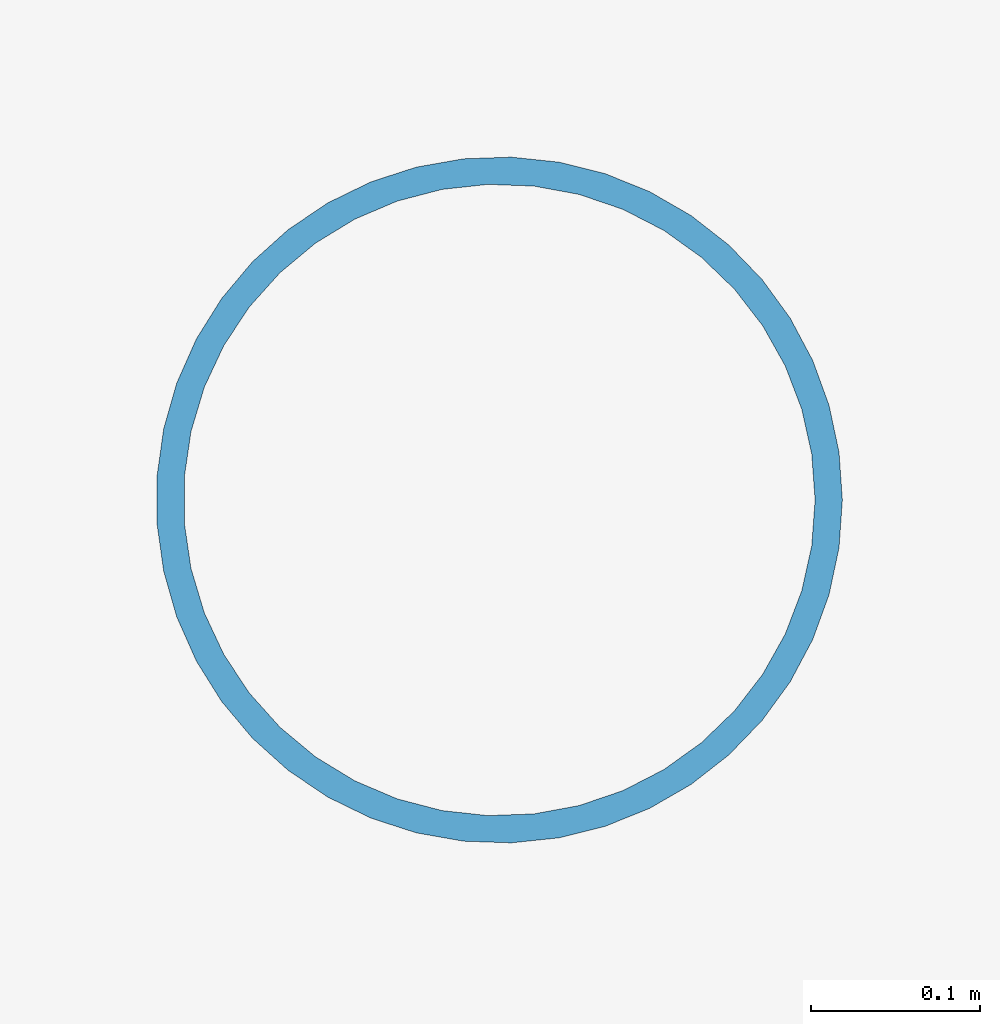
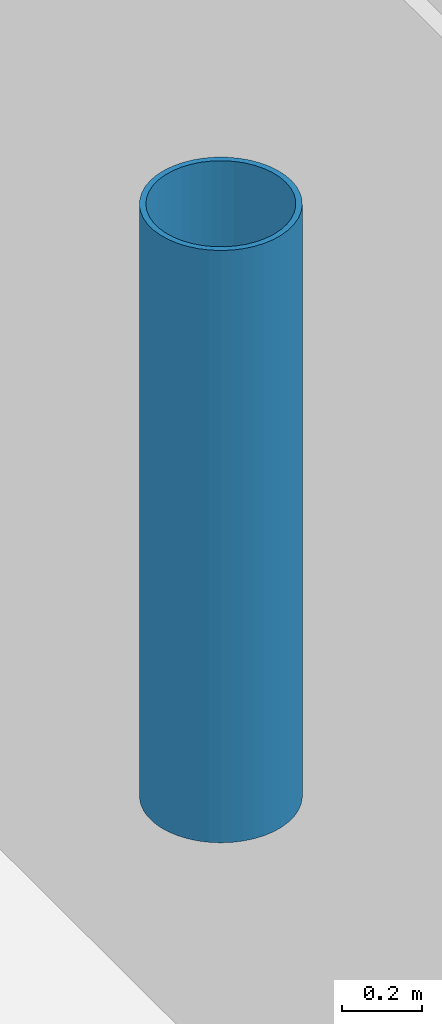
# One storey, part 7 of 101: 1 column.
"""IFC4 building model written with IfcOpenShell, lengths in metres."""

from ifc_helpers import new_model, si_unit, direction, frame, origin, origin_2d, place, context, subcontext, project, spatial, hollow_circle, extrude, material, material_profile, profile_set, type_object, element, save


model = new_model("IFC4")

# Units and contexts
model_context = context("Model", 3, precision=1e-05, world=origin(), true_north=direction((0.0, 1.0)))
body_context = subcontext(model_context, "Body", "Model", "MODEL_VIEW")
ifc_project = project(units=[si_unit("LENGTHUNIT", "METRE"), si_unit("AREAUNIT", "SQUARE_METRE"), si_unit("VOLUMEUNIT", "CUBIC_METRE"), si_unit("PLANEANGLEUNIT", "RADIAN"), si_unit("MASSUNIT", "GRAM", prefix="KILO")], contexts=[model_context])

# Site, building, storey
site_placement = place(None, origin())
site = spatial("IfcSite", under=ifc_project, at=site_placement, CompositionType="ELEMENT")
building_placement = place(site_placement, origin())
building = spatial("IfcBuilding", under=site, at=building_placement, Name="Magnolia Steps Interchange", CompositionType="ELEMENT")
storey_placement = place(building_placement, frame((0.0, 0.0, -5.39990234375)))
storey = spatial("IfcBuildingStorey", under=building, at=storey_placement, Name="B1", CompositionType="ELEMENT", Elevation=-5.39990234375)

# Column
ifc_material = material(Name="Steel Q355B", Category="steel")
ifc_material_profile = material_profile(ifc_material, hollow_circle(Radius=0.202880859375, WallThickness=0.01611328125, at=origin_2d()), Name="CHS406x16")
ifc_profile_set = profile_set([ifc_material_profile], Name="Steel Q355B")
column_type = type_object("IfcColumnType", Name="Truss tip prop CHS406x16", PredefinedType="COLUMN", material=ifc_profile_set)
column_placement = place(storey_placement, frame((191.320556640625, 33.87939453125, 3.599853515625), z_axis=(0.0, 0.0, 1.0), x_axis=(1.0, 0.0, 0.0)))
element("IfcColumn", 1, at=column_placement, inside=storey, type_object=column_type, Name="Tip prop SP-C-SE", PredefinedType="COLUMN", context=body_context, shape_type="SweptSolid", body=[
    extrude(hollow_circle(Radius=0.202880859375, WallThickness=0.01611328125, at=origin_2d()), origin(), (0.0, 0.0, 1.0), 1.800048828125),
])

save(model, "model.ifc")
